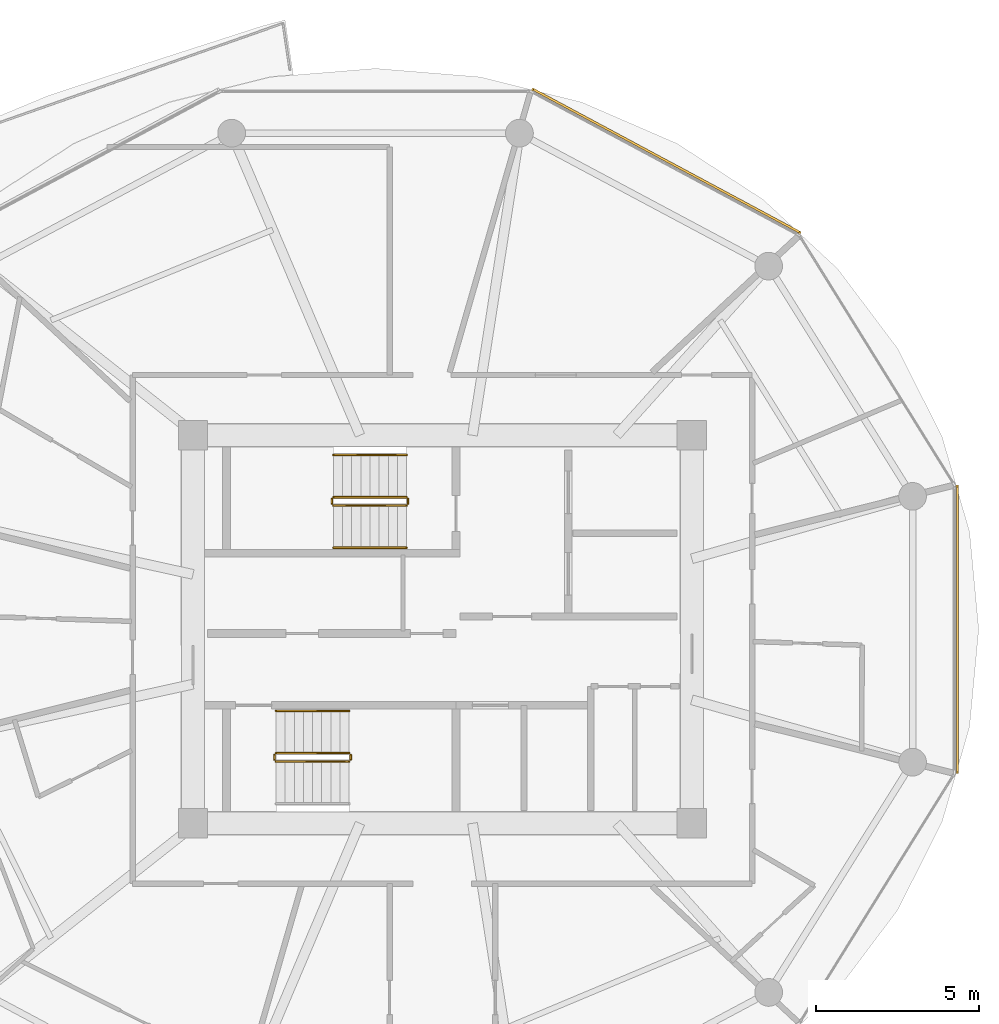
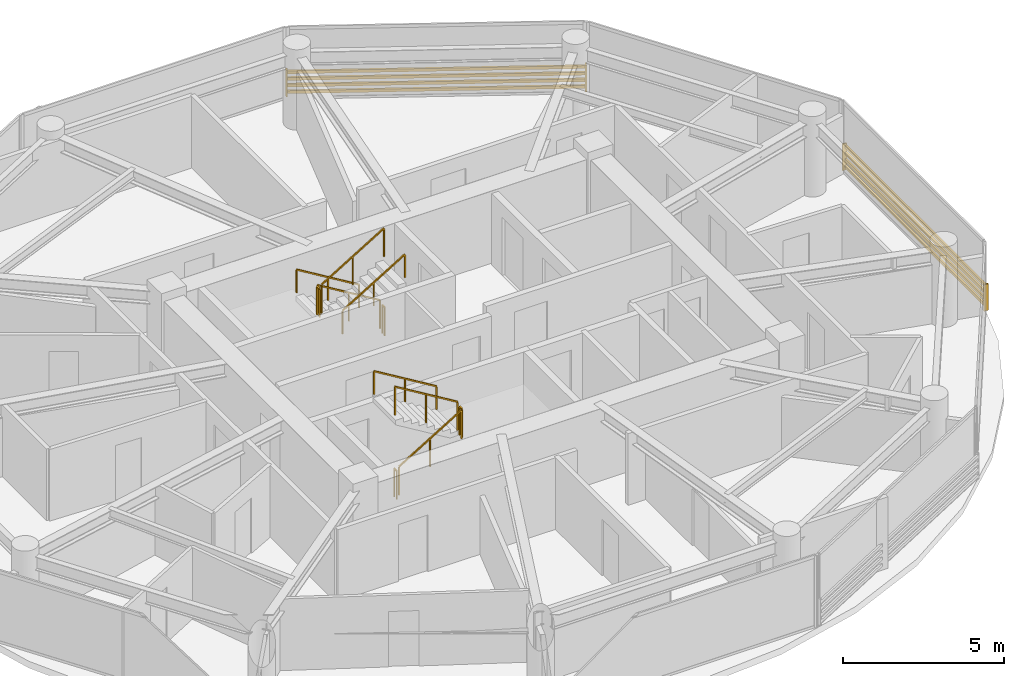
# One storey, part 22 of 22: 11 railings, 2 shading devices.
"""IFC4 building model written with IfcOpenShell, lengths in metres."""

from ifc_helpers import new_model, si_unit, direction, frame, origin, origin_2d, place, context, subcontext, project, spatial, rectangle, extrude, source, transform, mapped, material, type_object, type_shapes, element, save


model = new_model("IFC4")

# Units and contexts
model_context = context("Model", 3, precision=1e-05, world=origin(), true_north=direction((0.0, 1.0)))
body_context = subcontext(model_context, "Body", "Model", "MODEL_VIEW")
ifc_project = project(units=[si_unit("LENGTHUNIT", "METRE"), si_unit("AREAUNIT", "SQUARE_METRE"), si_unit("VOLUMEUNIT", "CUBIC_METRE"), si_unit("PLANEANGLEUNIT", "RADIAN"), si_unit("MASSUNIT", "GRAM", prefix="KILO")], contexts=[model_context])

# Site, building, storey
site_placement = place(None, origin())
site = spatial("IfcSite", under=ifc_project, at=site_placement, CompositionType="ELEMENT")
building_placement = place(site_placement, origin())
building = spatial("IfcBuilding", under=site, at=building_placement, Name="Norrkilde Senior Care Towers", CompositionType="ELEMENT")
storey_placement = place(building_placement, frame((0.0, 0.0, 126.75)))
storey = spatial("IfcBuildingStorey", under=building, at=storey_placement, Name="L39", CompositionType="ELEMENT", Elevation=126.75)

# Railings
ifc_material_1 = material(Name="Stainless Steel", Category="steel")
railing_type_1 = type_object("IfcRailingType", Name="Stair and Terrace Guardrail 1100", PredefinedType="GUARDRAIL", material=ifc_material_1)
railing_1_placement = place(storey_placement, frame((26.89990234375, 4.050048828125, 0.16943359375)))
element("IfcRailing", 1, at=railing_1_placement, inside=storey, type_object=railing_type_1, Name="L39 ST-E1 stair guard 1", PredefinedType="GUARDRAIL", context=body_context, shape_type="SweptSolid", body=[
    extrude(rectangle(XDim=0.048095703125, YDim=0.048095703125, at=origin_2d()), frame((0.0, 0.0, 1.076171875), z_axis=(-0.855553338991, 0.0, 0.51771467445), x_axis=(0.0, -1.0, 0.0)), (0.0, 0.0, 1.0), 2.6181640625),
    extrude(rectangle(XDim=0.0419921875, YDim=0.0419921875, at=origin_2d()), origin(), (0.0, 0.0, 1.0), 1.050048828125),
    extrude(rectangle(XDim=0.0419921875, YDim=0.0419921875, at=origin_2d()), frame((-1.1201171875, 0.0, 0.677734375)), (0.0, 0.0, 1.0), 1.050048828125),
    extrude(rectangle(XDim=0.0419921875, YDim=0.0419921875, at=origin_2d()), frame((-2.239990234375, 0.0, 1.35546875)), (0.0, 0.0, 1.0), 1.050048828125),
])
railing_2_placement = place(storey_placement, frame((24.610107421875, 4.0, 1.52490234375)))
element("IfcRailing", 2, at=railing_2_placement, inside=storey, type_object=railing_type_1, Name="L39 ST-E1 stair guard 2", PredefinedType="GUARDRAIL", context=body_context, shape_type="SweptSolid", body=[
    extrude(rectangle(XDim=0.048095703125, YDim=0.048095703125, at=origin_2d()), frame((0.0, 0.0, 1.076171875), z_axis=(0.0, -1.0, 0.0), x_axis=(1.0, 0.0, 0.0)), (0.0, 0.0, 1.0), 0.14990234375),
    extrude(rectangle(XDim=0.0419921875, YDim=0.0419921875, at=origin_2d()), origin(), (0.0, 0.0, 1.0), 1.050048828125),
    extrude(rectangle(XDim=0.0419921875, YDim=0.0419921875, at=origin_2d()), frame((0.0, -0.14990234375, 0.0)), (0.0, 0.0, 1.0), 1.050048828125),
])
railing_3_placement = place(storey_placement, frame((24.659912109375, 3.800048828125, 1.6943359375)))
element("IfcRailing", 3, at=railing_3_placement, inside=storey, type_object=railing_type_1, Name="L39 ST-E1 stair guard 3", PredefinedType="GUARDRAIL", context=body_context, shape_type="SweptSolid", body=[
    extrude(rectangle(XDim=0.048095703125, YDim=0.048095703125, at=origin_2d()), frame((0.0, 0.0, 1.076171875), z_axis=(0.855512035549, 0.0, 0.517782924622), x_axis=(0.0, 1.0, 0.0)), (0.0, 0.0, 1.0), 2.618408203125),
    extrude(rectangle(XDim=0.0419921875, YDim=0.0419921875, at=origin_2d()), origin(), (0.0, 0.0, 1.0), 1.050048828125),
    extrude(rectangle(XDim=0.0419921875, YDim=0.0419921875, at=origin_2d()), frame((1.1201171875, 0.0, 0.677734375)), (0.0, 0.0, 1.0), 1.050048828125),
    extrude(rectangle(XDim=0.0419921875, YDim=0.0419921875, at=origin_2d()), frame((2.239990234375, 0.0, 1.355712890625)), (0.0, 0.0, 1.0), 1.050048828125),
])
railing_4_placement = place(storey_placement, frame((26.949951171875, 4.0, 0.0)))
element("IfcRailing", 4, at=railing_4_placement, inside=storey, type_object=railing_type_1, Name="L39 ST-E1 stair guard 4", PredefinedType="GUARDRAIL", context=body_context, shape_type="SweptSolid", body=[
    extrude(rectangle(XDim=0.048095703125, YDim=0.048095703125, at=origin_2d()), frame((0.0, 0.0, 1.076171875), z_axis=(0.0, -1.0, 0.0), x_axis=(1.0, 0.0, 0.0)), (0.0, 0.0, 1.0), 0.14990234375),
    extrude(rectangle(XDim=0.0419921875, YDim=0.0419921875, at=origin_2d()), origin(), (0.0, 0.0, 1.0), 1.050048828125),
    extrude(rectangle(XDim=0.0419921875, YDim=0.0419921875, at=origin_2d()), frame((0.0, -0.14990234375, 0.0)), (0.0, 0.0, 1.0), 1.050048828125),
])
railing_5_placement = place(storey_placement, frame((22.89990234375, -4.050048828125, 0.16943359375)))
element("IfcRailing", 5, at=railing_5_placement, inside=storey, type_object=railing_type_1, Name="L39 ST-E2 stair guard 1", PredefinedType="GUARDRAIL", context=body_context, shape_type="SweptSolid", body=[
    extrude(rectangle(XDim=0.048095703125, YDim=0.048095703125, at=origin_2d()), frame((0.0, 0.0, 1.076171875), z_axis=(0.855553338991, 0.0, 0.51771467445), x_axis=(0.0, 1.0, 0.0)), (0.0, 0.0, 1.0), 2.6181640625),
    extrude(rectangle(XDim=0.0419921875, YDim=0.0419921875, at=origin_2d()), origin(), (0.0, 0.0, 1.0), 1.050048828125),
    extrude(rectangle(XDim=0.0419921875, YDim=0.0419921875, at=origin_2d()), frame((1.1201171875, 0.0, 0.677734375)), (0.0, 0.0, 1.0), 1.050048828125),
    extrude(rectangle(XDim=0.0419921875, YDim=0.0419921875, at=origin_2d()), frame((2.239990234375, 0.0, 1.35546875)), (0.0, 0.0, 1.0), 1.050048828125),
])
railing_6_placement = place(storey_placement, frame((25.18994140625, -4.0, 1.52490234375)))
element("IfcRailing", 6, at=railing_6_placement, inside=storey, type_object=railing_type_1, Name="L39 ST-E2 stair guard 2", PredefinedType="GUARDRAIL", context=body_context, shape_type="SweptSolid", body=[
    extrude(rectangle(XDim=0.048095703125, YDim=0.048095703125, at=origin_2d()), frame((0.0, 0.0, 1.076171875), z_axis=(0.0, 1.0, 0.0), x_axis=(-1.0, 0.0, 0.0)), (0.0, 0.0, 1.0), 0.14990234375),
    extrude(rectangle(XDim=0.0419921875, YDim=0.0419921875, at=origin_2d()), origin(), (0.0, 0.0, 1.0), 1.050048828125),
    extrude(rectangle(XDim=0.0419921875, YDim=0.0419921875, at=origin_2d()), frame((0.0, 0.14990234375, 0.0)), (0.0, 0.0, 1.0), 1.050048828125),
])
railing_7_placement = place(storey_placement, frame((25.139892578125, -3.800048828125, 1.6943359375)))
element("IfcRailing", 7, at=railing_7_placement, inside=storey, type_object=railing_type_1, Name="L39 ST-E2 stair guard 3", PredefinedType="GUARDRAIL", context=body_context, shape_type="SweptSolid", body=[
    extrude(rectangle(XDim=0.048095703125, YDim=0.048095703125, at=origin_2d()), frame((0.0, 0.0, 1.076171875), z_axis=(-0.855512035549, 0.0, 0.517782924622), x_axis=(0.0, -1.0, 0.0)), (0.0, 0.0, 1.0), 2.618408203125),
    extrude(rectangle(XDim=0.0419921875, YDim=0.0419921875, at=origin_2d()), origin(), (0.0, 0.0, 1.0), 1.050048828125),
    extrude(rectangle(XDim=0.0419921875, YDim=0.0419921875, at=origin_2d()), frame((-1.1201171875, 0.0, 0.677734375)), (0.0, 0.0, 1.0), 1.050048828125),
    extrude(rectangle(XDim=0.0419921875, YDim=0.0419921875, at=origin_2d()), frame((-2.239990234375, 0.0, 1.355712890625)), (0.0, 0.0, 1.0), 1.050048828125),
])
railing_8_placement = place(storey_placement, frame((22.85009765625, -4.0, 0.0)))
element("IfcRailing", 8, at=railing_8_placement, inside=storey, type_object=railing_type_1, Name="L39 ST-E2 stair guard 4", PredefinedType="GUARDRAIL", context=body_context, shape_type="SweptSolid", body=[
    extrude(rectangle(XDim=0.048095703125, YDim=0.048095703125, at=origin_2d()), frame((0.0, 0.0, 1.076171875), z_axis=(0.0, 1.0, 0.0), x_axis=(-1.0, 0.0, 0.0)), (0.0, 0.0, 1.0), 0.14990234375),
    extrude(rectangle(XDim=0.0419921875, YDim=0.0419921875, at=origin_2d()), origin(), (0.0, 0.0, 1.0), 1.050048828125),
    extrude(rectangle(XDim=0.0419921875, YDim=0.0419921875, at=origin_2d()), frame((0.0, 0.14990234375, 0.0)), (0.0, 0.0, 1.0), 1.050048828125),
])
ifc_material_2 = material(Name="Nordic Ash Timber", Category="wood")
railing_type_2 = type_object("IfcRailingType", Name="Wall and Stair Handrail 900", PredefinedType="HANDRAIL", material=ifc_material_2)
railing_9_placement = place(storey_placement, frame((26.89990234375, 5.35009765625, 0.16943359375)))
element("IfcRailing", 9, at=railing_9_placement, inside=storey, type_object=railing_type_2, Name="L39 ST-E1 stair handrail 1", PredefinedType="HANDRAIL", context=body_context, shape_type="SweptSolid", body=[
    extrude(rectangle(XDim=0.048095703125, YDim=0.048095703125, at=origin_2d()), frame((0.0, 0.0, 0.8759765625), z_axis=(-0.855553338991, 0.0, 0.51771467445), x_axis=(0.0, -1.0, 0.0)), (0.0, 0.0, 1.0), 2.6181640625),
    extrude(rectangle(XDim=0.0419921875, YDim=0.0419921875, at=origin_2d()), origin(), (0.0, 0.0, 1.0), 0.849853515625),
    extrude(rectangle(XDim=0.0419921875, YDim=0.0419921875, at=origin_2d()), frame((-1.1201171875, 0.0, 0.677734375)), (0.0, 0.0, 1.0), 0.849853515625),
    extrude(rectangle(XDim=0.0419921875, YDim=0.0419921875, at=origin_2d()), frame((-2.239990234375, 0.0, 1.35546875)), (0.0, 0.0, 1.0), 0.849853515625),
])
railing_10_placement = place(storey_placement, frame((24.659912109375, 2.5, 1.6943359375)))
element("IfcRailing", 10, at=railing_10_placement, inside=storey, type_object=railing_type_2, Name="L39 ST-E1 stair handrail 2", PredefinedType="HANDRAIL", context=body_context, shape_type="SweptSolid", body=[
    extrude(rectangle(XDim=0.048095703125, YDim=0.048095703125, at=origin_2d()), frame((0.0, 0.0, 0.8759765625), z_axis=(0.855512035549, 0.0, 0.517782924622), x_axis=(0.0, 1.0, 0.0)), (0.0, 0.0, 1.0), 2.618408203125),
    extrude(rectangle(XDim=0.0419921875, YDim=0.0419921875, at=origin_2d()), origin(), (0.0, 0.0, 1.0), 0.849853515625),
    extrude(rectangle(XDim=0.0419921875, YDim=0.0419921875, at=origin_2d()), frame((1.1201171875, 0.0, 0.677734375)), (0.0, 0.0, 1.0), 0.849853515625),
    extrude(rectangle(XDim=0.0419921875, YDim=0.0419921875, at=origin_2d()), frame((2.239990234375, 0.0, 1.355712890625)), (0.0, 0.0, 1.0), 0.849853515625),
])
railing_11_placement = place(storey_placement, frame((25.139892578125, -2.5, 1.6943359375)))
element("IfcRailing", 11, at=railing_11_placement, inside=storey, type_object=railing_type_2, Name="L39 ST-E2 stair handrail 2", PredefinedType="HANDRAIL", context=body_context, shape_type="SweptSolid", body=[
    extrude(rectangle(XDim=0.048095703125, YDim=0.048095703125, at=origin_2d()), frame((0.0, 0.0, 0.8759765625), z_axis=(-0.855512035549, 0.0, 0.517782924622), x_axis=(0.0, -1.0, 0.0)), (0.0, 0.0, 1.0), 2.618408203125),
    extrude(rectangle(XDim=0.0419921875, YDim=0.0419921875, at=origin_2d()), origin(), (0.0, 0.0, 1.0), 0.849853515625),
    extrude(rectangle(XDim=0.0419921875, YDim=0.0419921875, at=origin_2d()), frame((-1.1201171875, 0.0, 0.677734375)), (0.0, 0.0, 1.0), 0.849853515625),
    extrude(rectangle(XDim=0.0419921875, YDim=0.0419921875, at=origin_2d()), frame((-2.239990234375, 0.0, 1.355712890625)), (0.0, 0.0, 1.0), 0.849853515625),
])

# Shading devices
ifc_material_3 = material(Name="Architectural Terracotta", Category="masonry")
shading_device_type = type_object("IfcShadingDeviceType", Name="Horizontal Terracotta Baguette Rack", PredefinedType="USERDEFINED", material=ifc_material_3)
shared_shape_1 = source(origin(), body_context, "Body", "SweptSolid", [
    extrude(rectangle(XDim=0.070068359375, YDim=0.110107421875, at=origin_2d()), frame((0.0, 0.090087890625, 0.125), z_axis=(1.0, 0.0, 0.0), x_axis=(0.0, 1.0, 0.0)), (0.0, 0.0, 1.0), 9.3505859375),
    extrude(rectangle(XDim=0.070068359375, YDim=0.110107421875, at=origin_2d()), frame((0.0, 0.090087890625, 0.375), z_axis=(1.0, 0.0, 0.0), x_axis=(0.0, 1.0, 0.0)), (0.0, 0.0, 1.0), 9.3505859375),
    extrude(rectangle(XDim=0.070068359375, YDim=0.110107421875, at=origin_2d()), frame((0.0, 0.090087890625, 0.625), z_axis=(1.0, 0.0, 0.0), x_axis=(0.0, 1.0, 0.0)), (0.0, 0.0, 1.0), 9.3505859375),
    extrude(rectangle(XDim=0.070068359375, YDim=0.110107421875, at=origin_2d()), frame((0.0, 0.090087890625, 0.875), z_axis=(1.0, 0.0, 0.0), x_axis=(0.0, 1.0, 0.0)), (0.0, 0.0, 1.0), 9.3505859375),
    extrude(rectangle(XDim=0.050048828125, YDim=0.1552734375, at=origin_2d()), frame((0.02490234375, 0.047607421875, 0.0)), (0.0, 0.0, 1.0), 1.0),
    extrude(rectangle(XDim=0.050048828125, YDim=0.1552734375, at=origin_2d()), frame((9.32568359375, 0.047607421875, 0.0)), (0.0, 0.0, 1.0), 1.0),
])
shading_device_1_placement = place(storey_placement, frame((30.70703125, 16.498046875, 0.080078125), z_axis=(0.0, 0.0, 1.0), x_axis=(0.881174934726, -0.472767624021, 0.0)))
element("IfcShadingDevice", 12, at=shading_device_1_placement, inside=storey, type_object=shading_device_type, Name="L39 Drum E Terracotta Baguette Screen 01", ObjectType="BAGUETTE", PredefinedType="USERDEFINED", context=body_context, shape_type="MappedRepresentation", body=[
    mapped(shared_shape_1, transform((0.0, 0.0, 0.0), x_axis=(1.0, 0.0, 0.0), y_axis=(0.0, 1.0, 0.0), z_axis=(0.0, 0.0, 1.0), scale=1.0)),
])
shared_shape_2 = source(origin(), body_context, "Body", "SweptSolid", [
    extrude(rectangle(XDim=0.070068359375, YDim=0.110107421875, at=origin_2d()), frame((0.0, 0.090087890625, 0.125), z_axis=(1.0, 0.0, 0.0), x_axis=(0.0, 1.0, 0.0)), (0.0, 0.0, 1.0), 8.84130859375),
    extrude(rectangle(XDim=0.070068359375, YDim=0.110107421875, at=origin_2d()), frame((0.0, 0.090087890625, 0.375), z_axis=(1.0, 0.0, 0.0), x_axis=(0.0, 1.0, 0.0)), (0.0, 0.0, 1.0), 8.84130859375),
    extrude(rectangle(XDim=0.070068359375, YDim=0.110107421875, at=origin_2d()), frame((0.0, 0.090087890625, 0.625), z_axis=(1.0, 0.0, 0.0), x_axis=(0.0, 1.0, 0.0)), (0.0, 0.0, 1.0), 8.84130859375),
    extrude(rectangle(XDim=0.070068359375, YDim=0.110107421875, at=origin_2d()), frame((0.0, 0.090087890625, 0.875), z_axis=(1.0, 0.0, 0.0), x_axis=(0.0, 1.0, 0.0)), (0.0, 0.0, 1.0), 8.84130859375),
    extrude(rectangle(XDim=0.050048828125, YDim=0.1552734375, at=origin_2d()), frame((0.02490234375, 0.047607421875, 0.0)), (0.0, 0.0, 1.0), 1.0),
    extrude(rectangle(XDim=0.050048828125, YDim=0.1552734375, at=origin_2d()), frame((8.81640625, 0.047607421875, 0.0)), (0.0, 0.0, 1.0), 1.0),
])
type_shapes(shading_device_type, [shared_shape_1, shared_shape_2])
shading_device_2_placement = place(storey_placement, frame((43.70361328125, 4.420654296875, 0.080078125), z_axis=(0.0, 0.0, 1.0), x_axis=(0.0, -1.0, 0.0)))
element("IfcShadingDevice", 13, at=shading_device_2_placement, inside=storey, type_object=shading_device_type, Name="L39 Drum E Terracotta Baguette Screen 11", ObjectType="BAGUETTE", PredefinedType="USERDEFINED", context=body_context, shape_type="MappedRepresentation", body=[
    mapped(shared_shape_2, transform((0.0, 0.0, 0.0), x_axis=(1.0, 0.0, 0.0), y_axis=(0.0, 1.0, 0.0), z_axis=(0.0, 0.0, 1.0), scale=1.0)),
])

save(model, "model.ifc")
